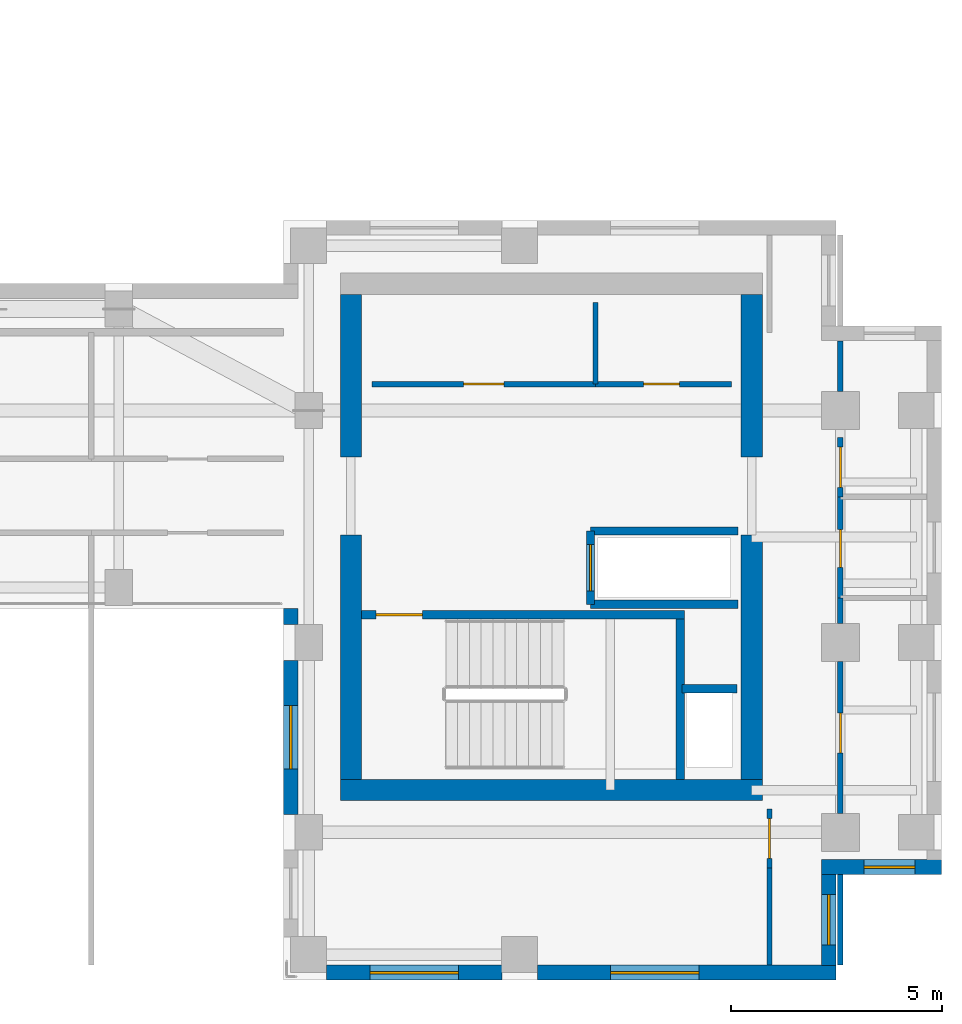
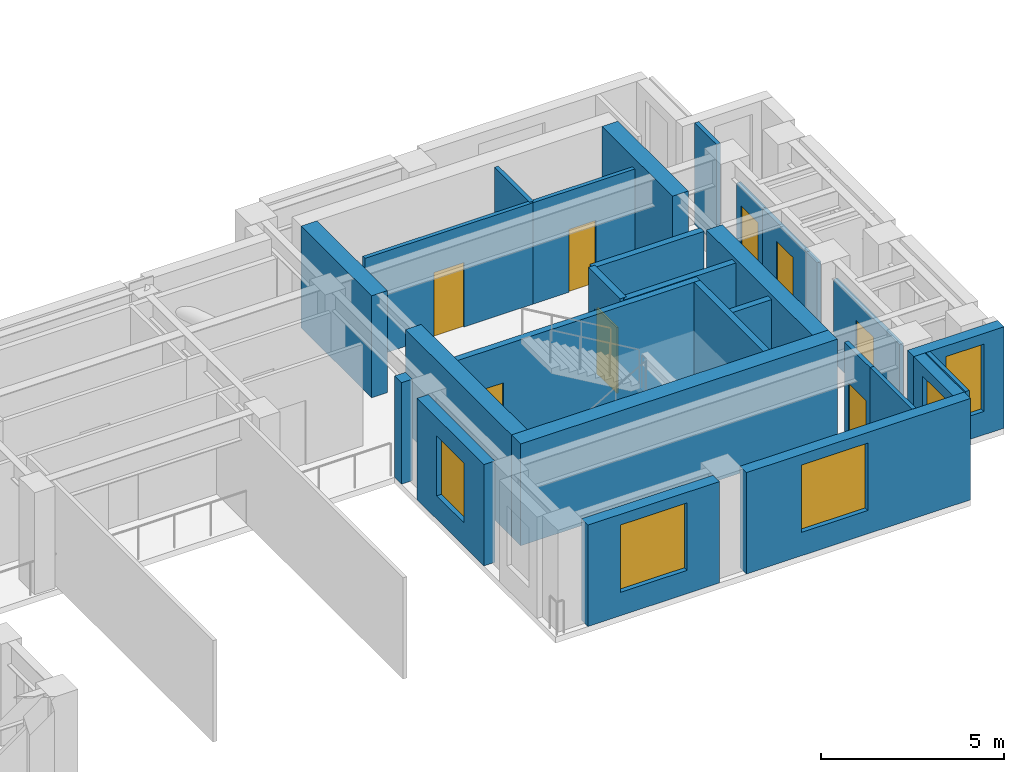
# One storey, part 9 of 14: 28 walls, 8 doors, 5 windows, 13 openings.
"""IFC4 building model written with IfcOpenShell, lengths in metres."""

from ifc_helpers import new_model, si_unit, direction, frame, frame_2d, origin, place, context, subcontext, project, spatial, rectangle, extrude, source, transform, mapped, material, layer, layer_set, type_object, element, fill, save


model = new_model("IFC4")

# Units and contexts
model_context = context("Model", 3, precision=1e-05, world=origin(), true_north=direction((0.0, 1.0)))
body_context = subcontext(model_context, "Body", "Model", "MODEL_VIEW")
ifc_project = project(units=[si_unit("LENGTHUNIT", "METRE"), si_unit("AREAUNIT", "SQUARE_METRE"), si_unit("VOLUMEUNIT", "CUBIC_METRE"), si_unit("PLANEANGLEUNIT", "RADIAN"), si_unit("MASSUNIT", "GRAM", prefix="KILO")], contexts=[model_context])

# Site, building, storey
site_placement = place(None, origin())
site = spatial("IfcSite", under=ifc_project, at=site_placement, CompositionType="ELEMENT")
building_placement = place(site_placement, origin())
building = spatial("IfcBuilding", under=site, at=building_placement, Name="Kharzan Plaza Tower", CompositionType="ELEMENT")
storey_placement = place(building_placement, frame((0.0, 0.0, 241.199951171875)))
storey = spatial("IfcBuildingStorey", under=building, at=storey_placement, Name="L65", CompositionType="ELEMENT", Elevation=241.199951171875)

# Wall, opening, window
ifc_material_1 = material(Name="Concrete C40/50", Category="concrete")
ifc_layer_1 = layer(ifc_material_1, 0.35009765625)
ifc_layer_set_1 = layer_set([ifc_layer_1], Name="Concrete C40/50")
wall_type_1 = type_object("IfcWallType", Name="WL-EXT-MAS-Z4", PredefinedType="SOLIDWALL", material=ifc_layer_set_1)
wall_1_placement = place(storey_placement, frame((34.574951171875, 7.576904296875, 0.0), z_axis=(0.0, 0.0, 1.0), x_axis=(0.0, -1.0, 0.0)))
wall_1 = element("IfcWall", 1, at=wall_1_placement, inside=storey, type_object=wall_type_1, Name="L65 Masonry-Frame Exterior Wall 34", PredefinedType="SOLIDWALL", context=body_context, shape_type="SweptSolid", body=[
    extrude(rectangle(XDim=3.65380859375, YDim=0.35009765625, at=frame_2d((1.826904296875, 0.0))), origin(), (0.0, 0.0, 1.0), 3.385009765625),
])
opening_1_placement = place(wall_1_placement, frame((1.076904296875, 0.0, 0.780029296875)))
opening_1 = element("IfcOpeningElement", 2, at=opening_1_placement, cuts=wall_1, Name="Opening W5", PredefinedType="OPENING", context=body_context, shape_type="SweptSolid", body=[
    extrude(rectangle(XDim=1.5, YDim=2.0, at=frame_2d((0.75, 1.0))), frame((0.0, 0.18505859375, 0.0), z_axis=(0.0, -1.0, 0.0), x_axis=(1.0, 0.0, 0.0)), (0.0, 0.0, 1.0), 0.3701171875),
])
ifc_material_2 = material(Name="Low-E Double Glazing", Category="glass")
window_type_1 = type_object("IfcWindowType", Name="WN-SLT-1500x2000", PartitioningType="SINGLE_PANEL", PredefinedType="WINDOW", material=ifc_material_2)
shared_shape_1 = source(origin(), body_context, "Body", "SweptSolid", [
    extrude(rectangle(XDim=1.5, YDim=2.0, at=frame_2d((0.75, 1.0))), frame((0.0, 0.030029296875, 0.0), z_axis=(0.0, -1.0, 0.0), x_axis=(1.0, 0.0, 0.0)), (0.0, 0.0, 1.0), 0.06005859375),
])
window_1_placement = place(opening_1_placement, origin())
window_1 = element("IfcWindow", 3, at=window_1_placement, inside=storey, type_object=window_type_1, Name="L65 Recessed Solar-Control Window 34-1", OverallHeight=2.0, OverallWidth=1.5, PartitioningType="SINGLE_PANEL", PredefinedType="WINDOW", context=body_context, shape_type="MappedRepresentation", body=[
    mapped(shared_shape_1, transform((0.0, 0.0, 0.0), x_axis=(1.0, 0.0, 0.0), y_axis=(0.0, 1.0, 0.0), z_axis=(0.0, 0.0, 1.0))),
])
fill(opening_1, window_1)

wall_2_placement = place(storey_placement, frame((35.423095703125, 0.175048828125, 0.0), z_axis=(0.0, 0.0, 1.0), x_axis=(1.0, 0.0, 0.0)))
wall_2 = element("IfcWall", 4, at=wall_2_placement, inside=storey, type_object=wall_type_1, Name="L65 Masonry-Frame Exterior Wall 36", PredefinedType="SOLIDWALL", context=body_context, shape_type="SweptSolid", body=[
    extrude(rectangle(XDim=4.15380859375, YDim=0.35009765625, at=frame_2d((2.076904296875, 0.0))), origin(), (0.0, 0.0, 1.0), 3.385009765625),
])
opening_2_placement = place(wall_2_placement, frame((1.027099609375, 0.0, 0.780029296875)))
opening_2 = element("IfcOpeningElement", 5, at=opening_2_placement, cuts=wall_2, Name="Opening W6", PredefinedType="OPENING", context=body_context, shape_type="SweptSolid", body=[
    extrude(rectangle(XDim=2.10009765625, YDim=2.25, at=frame_2d((1.050048828125, 1.125))), frame((0.0, 0.18505859375, 0.0), z_axis=(0.0, -1.0, 0.0), x_axis=(1.0, 0.0, 0.0)), (0.0, 0.0, 1.0), 0.3701171875),
])
window_type_2 = type_object("IfcWindowType", Name="WN-EXEC-2100x2250", PartitioningType="SINGLE_PANEL", PredefinedType="WINDOW", material=ifc_material_2)
shared_shape_2 = source(origin(), body_context, "Body", "SweptSolid", [
    extrude(rectangle(XDim=2.10009765625, YDim=2.25, at=frame_2d((1.050048828125, 1.125))), frame((0.0, 0.030029296875, 0.0), z_axis=(0.0, -1.0, 0.0), x_axis=(1.0, 0.0, 0.0)), (0.0, 0.0, 1.0), 0.06005859375),
])
window_2_placement = place(opening_2_placement, origin())
window_2 = element("IfcWindow", 6, at=window_2_placement, inside=storey, type_object=window_type_2, Name="L65 Recessed Solar-Control Window 36-1", OverallHeight=2.25, OverallWidth=2.10009765625, PartitioningType="SINGLE_PANEL", PredefinedType="WINDOW", context=body_context, shape_type="MappedRepresentation", body=[
    mapped(shared_shape_2, transform((0.0, 0.0, 0.0), x_axis=(1.0, 0.0, 0.0), y_axis=(0.0, 1.0, 0.0), z_axis=(0.0, 0.0, 1.0))),
])
fill(opening_2, window_2)

wall_3_placement = place(storey_placement, frame((40.423095703125, 0.175048828125, 0.0), z_axis=(0.0, 0.0, 1.0), x_axis=(1.0, 0.0, 0.0)))
wall_3 = element("IfcWall", 7, at=wall_3_placement, inside=storey, type_object=wall_type_1, Name="L65 Masonry-Frame Exterior Wall 37", PredefinedType="SOLIDWALL", context=body_context, shape_type="SweptSolid", body=[
    extrude(rectangle(XDim=7.076904296875, YDim=0.35009765625, at=frame_2d((3.53857421875, 0.0))), origin(), (0.0, 0.0, 1.0), 3.385009765625),
])
opening_3_placement = place(wall_3_placement, frame((1.7333984375, 0.0, 0.780029296875)))
opening_3 = element("IfcOpeningElement", 8, at=opening_3_placement, cuts=wall_3, Name="Opening W6", PredefinedType="OPENING", context=body_context, shape_type="SweptSolid", body=[
    extrude(rectangle(XDim=2.10009765625, YDim=2.25, at=frame_2d((1.050048828125, 1.125))), frame((0.0, 0.18505859375, 0.0), z_axis=(0.0, -1.0, 0.0), x_axis=(1.0, 0.0, 0.0)), (0.0, 0.0, 1.0), 0.3701171875),
])
window_3_placement = place(opening_3_placement, origin())
window_3 = element("IfcWindow", 9, at=window_3_placement, inside=storey, type_object=window_type_2, Name="L65 Recessed Solar-Control Window 37-1", OverallHeight=2.25, OverallWidth=2.10009765625, PartitioningType="SINGLE_PANEL", PredefinedType="WINDOW", context=body_context, shape_type="MappedRepresentation", body=[
    mapped(shared_shape_2, transform((0.0, 0.0, 0.0), x_axis=(1.0, 0.0, 0.0), y_axis=(0.0, 1.0, 0.0), z_axis=(0.0, 0.0, 1.0))),
])
fill(opening_3, window_3)

wall_4_placement = place(storey_placement, frame((47.324951171875, 0.347900390625, 0.0), z_axis=(0.0, 0.0, 1.0), x_axis=(0.0, 1.0, 0.0)))
wall_4 = element("IfcWall", 10, at=wall_4_placement, inside=storey, type_object=wall_type_1, Name="L65 Masonry-Frame Exterior Wall 38", PredefinedType="SOLIDWALL", context=body_context, shape_type="SweptSolid", body=[
    extrude(rectangle(XDim=2.154052734375, YDim=0.35009765625, at=frame_2d((1.0771484375, 0.0))), origin(), (0.0, 0.0, 1.0), 3.385009765625),
])
opening_4_placement = place(wall_4_placement, frame((0.47705078125, 0.0, 0.780029296875)))
opening_4 = element("IfcOpeningElement", 11, at=opening_4_placement, cuts=wall_4, Name="Opening W3", PredefinedType="OPENING", context=body_context, shape_type="SweptSolid", body=[
    extrude(rectangle(XDim=1.199951171875, YDim=2.25, at=frame_2d((0.60009765625, 1.125))), frame((0.0, 0.18505859375, 0.0), z_axis=(0.0, -1.0, 0.0), x_axis=(1.0, 0.0, 0.0)), (0.0, 0.0, 1.0), 0.3701171875),
])
window_type_3 = type_object("IfcWindowType", Name="WN-REC-1200x2100", PartitioningType="SINGLE_PANEL", PredefinedType="WINDOW", material=ifc_material_2)
shared_shape_3 = source(origin(), body_context, "Body", "SweptSolid", [
    extrude(rectangle(XDim=1.199951171875, YDim=2.25, at=frame_2d((0.60009765625, 1.125))), frame((0.0, 0.030029296875, 0.0), z_axis=(0.0, -1.0, 0.0), x_axis=(1.0, 0.0, 0.0)), (0.0, 0.0, 1.0), 0.06005859375),
])
window_4_placement = place(opening_4_placement, origin())
window_4 = element("IfcWindow", 12, at=window_4_placement, inside=storey, type_object=window_type_3, Name="L65 Recessed Solar-Control Window 38-1", OverallHeight=2.25, OverallWidth=1.199951171875, PartitioningType="SINGLE_PANEL", PredefinedType="WINDOW", context=body_context, shape_type="MappedRepresentation", body=[
    mapped(shared_shape_3, transform((0.0, 0.0, 0.0), x_axis=(1.0, 0.0, 0.0), y_axis=(0.0, 1.0, 0.0), z_axis=(0.0, 0.0, 1.0))),
])
fill(opening_4, window_4)

wall_5_placement = place(storey_placement, frame((47.14990234375, 2.675048828125, 0.0), z_axis=(0.0, 0.0, 1.0), x_axis=(1.0, 0.0, 0.0)))
wall_5 = element("IfcWall", 13, at=wall_5_placement, inside=storey, type_object=wall_type_1, Name="L65 Masonry-Frame Exterior Wall 39", PredefinedType="SOLIDWALL", context=body_context, shape_type="SweptSolid", body=[
    extrude(rectangle(XDim=2.85009765625, YDim=0.35009765625, at=frame_2d((1.425048828125, 0.0))), origin(), (0.0, 0.0, 1.0), 3.385009765625),
])
opening_5_placement = place(wall_5_placement, frame((1.014892578125, 0.0, 0.780029296875)))
opening_5 = element("IfcOpeningElement", 14, at=opening_5_placement, cuts=wall_5, Name="Opening W3", PredefinedType="OPENING", context=body_context, shape_type="SweptSolid", body=[
    extrude(rectangle(XDim=1.199951171875, YDim=2.25, at=frame_2d((0.60009765625, 1.125))), frame((0.0, 0.18505859375, 0.0), z_axis=(0.0, -1.0, 0.0), x_axis=(1.0, 0.0, 0.0)), (0.0, 0.0, 1.0), 0.3701171875),
])
window_5_placement = place(opening_5_placement, origin())
window_5 = element("IfcWindow", 15, at=window_5_placement, inside=storey, type_object=window_type_3, Name="L65 Recessed Solar-Control Window 39-1", OverallHeight=2.25, OverallWidth=1.199951171875, PartitioningType="SINGLE_PANEL", PredefinedType="WINDOW", context=body_context, shape_type="MappedRepresentation", body=[
    mapped(shared_shape_3, transform((0.0, 0.0, 0.0), x_axis=(1.0, 0.0, 0.0), y_axis=(0.0, 1.0, 0.0), z_axis=(0.0, 0.0, 1.0))),
])
fill(opening_5, window_5)

# Wall, opening, door
ifc_material_3 = material(Name="Fire-Rated Gypsum Board Partition", Category="gypsum")
ifc_layer_2 = layer(ifc_material_3, 0.125)
ifc_layer_set_2 = layer_set([ifc_layer_2], Name="Fire-Rated Gypsum Board Partition")
wall_type_2 = type_object("IfcWallType", Name="WL-INT-PART-125", PredefinedType="PARTITIONING", material=ifc_layer_set_2)
wall_6_placement = place(storey_placement, frame((36.5, 14.1201171875, 0.0), z_axis=(0.0, 0.0, 1.0), x_axis=(1.0, 0.0, 0.0)))
wall_6 = element("IfcWall", 16, at=wall_6_placement, inside=storey, type_object=wall_type_2, Name="L65 Interior Partition CB-RBLSA", PredefinedType="PARTITIONING", context=body_context, shape_type="SweptSolid", body=[
    extrude(rectangle(XDim=5.300048828125, YDim=0.125, at=frame_2d((2.64990234375, 0.0))), origin(), (0.0, 0.0, 1.0), 3.385009765625),
])
opening_6_placement = place(wall_6_placement, frame((2.175048828125, 0.0, 0.0)))
opening_6 = element("IfcOpeningElement", 17, at=opening_6_placement, cuts=wall_6, Name="Opening OD1", PredefinedType="OPENING", context=body_context, shape_type="SweptSolid", body=[
    extrude(rectangle(XDim=0.949951171875, YDim=2.14990234375, at=frame_2d((0.47509765625, 1.074951171875))), frame((0.0, 0.072509765625, 0.0), z_axis=(0.0, -1.0, 0.0), x_axis=(1.0, 0.0, 0.0)), (0.0, 0.0, 1.0), 0.14501953125),
])
ifc_material_4 = material(Name="Acoustic Solid-Core Stained Oak", Category="timber")
door_type_1 = type_object("IfcDoorType", Name="DR-OFF-SINGLE", OperationType="NOTDEFINED", PredefinedType="DOOR", material=ifc_material_4)
shared_shape_4 = source(origin(), body_context, "Body", "SweptSolid", [
    extrude(rectangle(XDim=0.949951171875, YDim=2.14990234375, at=frame_2d((0.47509765625, 1.074951171875))), frame((0.0, 0.02490234375, 0.0), z_axis=(0.0, -1.0, 0.0), x_axis=(1.0, 0.0, 0.0)), (0.0, 0.0, 1.0), 0.050048828125),
])
door_1_placement = place(opening_6_placement, origin())
door_1 = element("IfcDoor", 18, at=door_1_placement, inside=storey, type_object=door_type_1, Name="L65 Records Room Door", OperationType="SINGLE_SWING_LEFT", OverallHeight=2.14990234375, OverallWidth=0.949951171875, PredefinedType="DOOR", context=body_context, shape_type="MappedRepresentation", body=[
    mapped(shared_shape_4, transform((0.0, 0.0, 0.0), x_axis=(1.0, 0.0, 0.0), y_axis=(0.0, 1.0, 0.0), z_axis=(0.0, 0.0, 1.0))),
])
fill(opening_6, door_1)

wall_7_placement = place(storey_placement, frame((41.800048828125, 14.1201171875, 0.0), z_axis=(0.0, 0.0, 1.0), x_axis=(1.0, 0.0, 0.0)))
wall_7 = element("IfcWall", 19, at=wall_7_placement, inside=storey, type_object=wall_type_2, Name="L65 Interior Partition CB-RBLSB", PredefinedType="PARTITIONING", context=body_context, shape_type="SweptSolid", body=[
    extrude(rectangle(XDim=3.219970703125, YDim=0.125, at=frame_2d((1.60986328125, 0.0))), origin(), (0.0, 0.0, 1.0), 3.385009765625),
])
opening_7_placement = place(wall_7_placement, frame((1.135009765625, 0.0, 0.0)))
opening_7 = element("IfcOpeningElement", 20, at=opening_7_placement, cuts=wall_7, Name="Opening RD1", PredefinedType="OPENING", context=body_context, shape_type="SweptSolid", body=[
    extrude(rectangle(XDim=0.85009765625, YDim=2.10009765625, at=frame_2d((0.425048828125, 1.050048828125))), frame((0.0, 0.072509765625, 0.0), z_axis=(0.0, -1.0, 0.0), x_axis=(1.0, 0.0, 0.0)), (0.0, 0.0, 1.0), 0.14501953125),
])
ifc_material_5 = material(Name="Powder-Coated Fire-Rated Steel", Category="steel")
door_type_2 = type_object("IfcDoorType", Name="DR-RISER-900", OperationType="NOTDEFINED", PredefinedType="DOOR", material=ifc_material_5)
shared_shape_5 = source(origin(), body_context, "Body", "SweptSolid", [
    extrude(rectangle(XDim=0.85009765625, YDim=2.10009765625, at=frame_2d((0.425048828125, 1.050048828125))), frame((0.0, 0.02490234375, 0.0), z_axis=(0.0, -1.0, 0.0), x_axis=(1.0, 0.0, 0.0)), (0.0, 0.0, 1.0), 0.050048828125),
])
door_2_placement = place(opening_7_placement, origin())
door_2 = element("IfcDoor", 21, at=door_2_placement, inside=storey, type_object=door_type_2, Name="L65 Housekeeping Store Door", OperationType="SINGLE_SWING_RIGHT", OverallHeight=2.10009765625, OverallWidth=0.85009765625, PredefinedType="DOOR", context=body_context, shape_type="MappedRepresentation", body=[
    mapped(shared_shape_5, transform((0.0, 0.0, 0.0), x_axis=(1.0, 0.0, 0.0), y_axis=(0.0, 1.0, 0.0), z_axis=(0.0, 0.0, 1.0))),
])
fill(opening_7, door_2)

wall_8_placement = place(storey_placement, frame((47.60009765625, 3.949951171875, 0.0), z_axis=(0.0, 0.0, 1.0), x_axis=(0.0, 1.0, 0.0)))
wall_8 = element("IfcWall", 22, at=wall_8_placement, inside=storey, type_object=wall_type_2, Name="L65 Interior Partition SH-B1W0-S1", PredefinedType="PARTITIONING", context=body_context, shape_type="SweptSolid", body=[
    extrude(rectangle(XDim=3.60009765625, YDim=0.125, at=frame_2d((1.800048828125, 0.0))), origin(), (0.0, 0.0, 1.0), 2.77294921875),
])
opening_8_placement = place(wall_8_placement, frame((1.425048828125, 0.0, 0.0)))
opening_8 = element("IfcOpeningElement", 23, at=opening_8_placement, cuts=wall_8, Name="Opening OD1", PredefinedType="OPENING", context=body_context, shape_type="SweptSolid", body=[
    extrude(rectangle(XDim=0.949951171875, YDim=2.14990234375, at=frame_2d((0.47509765625, 1.074951171875))), frame((0.0, 0.072509765625, 0.0), z_axis=(0.0, -1.0, 0.0), x_axis=(1.0, 0.0, 0.0)), (0.0, 0.0, 1.0), 0.14501953125),
])
door_3_placement = place(opening_8_placement, origin())
door_3 = element("IfcDoor", 24, at=door_3_placement, inside=storey, type_object=door_type_1, Name="L65 Wing B South Studio Door", OperationType="SINGLE_SWING_LEFT", OverallHeight=2.14990234375, OverallWidth=0.949951171875, PredefinedType="DOOR", context=body_context, shape_type="MappedRepresentation", body=[
    mapped(shared_shape_4, transform((0.0, 0.0, 0.0), x_axis=(1.0, 0.0, 0.0), y_axis=(0.0, 1.0, 0.0), z_axis=(0.0, 0.0, 1.0))),
])
fill(opening_8, door_3)

wall_9_placement = place(storey_placement, frame((47.60009765625, 11.449951171875, 0.0), z_axis=(0.0, 0.0, 1.0), x_axis=(0.0, 1.0, 0.0)))
wall_9 = element("IfcWall", 25, at=wall_9_placement, inside=storey, type_object=wall_type_2, Name="L65 Interior Partition SH-B1W1", PredefinedType="PARTITIONING", context=body_context, shape_type="SweptSolid", body=[
    extrude(rectangle(XDim=1.400146484375, YDim=0.125, at=frame_2d((0.7001953125, 0.0))), origin(), (0.0, 0.0, 1.0), 2.77294921875),
])
opening_9_placement = place(wall_9_placement, frame((0.22509765625, 0.0, 0.0)))
opening_9 = element("IfcOpeningElement", 26, at=opening_9_placement, cuts=wall_9, Name="Opening OD1", PredefinedType="OPENING", context=body_context, shape_type="SweptSolid", body=[
    extrude(rectangle(XDim=0.949951171875, YDim=2.14990234375, at=frame_2d((0.47509765625, 1.074951171875))), frame((0.0, 0.072509765625, 0.0), z_axis=(0.0, -1.0, 0.0), x_axis=(1.0, 0.0, 0.0)), (0.0, 0.0, 1.0), 0.14501953125),
])
door_4_placement = place(opening_9_placement, origin())
door_4 = element("IfcDoor", 27, at=door_4_placement, inside=storey, type_object=door_type_1, Name="L65 Wing B North Office Door", OperationType="SINGLE_SWING_LEFT", OverallHeight=2.14990234375, OverallWidth=0.949951171875, PredefinedType="DOOR", context=body_context, shape_type="MappedRepresentation", body=[
    mapped(shared_shape_4, transform((0.0, 0.0, 0.0), x_axis=(1.0, 0.0, 0.0), y_axis=(0.0, 1.0, 0.0), z_axis=(0.0, 0.0, 1.0))),
])
fill(opening_9, door_4)

wall_10_placement = place(storey_placement, frame((47.60009765625, 9.050048828125, 0.0), z_axis=(0.0, 0.0, 1.0), x_axis=(0.0, 1.0, 0.0)))
wall_10 = element("IfcWall", 28, at=wall_10_placement, inside=storey, type_object=wall_type_2, Name="L65 Interior Partition SH-B1WC", PredefinedType="PARTITIONING", context=body_context, shape_type="SweptSolid", body=[
    extrude(rectangle(XDim=2.39990234375, YDim=0.125, at=frame_2d((1.199951171875, 0.0))), origin(), (0.0, 0.0, 1.0), 2.77294921875),
])
opening_10_placement = place(wall_10_placement, frame((0.72509765625, 0.0, 0.0)))
opening_10 = element("IfcOpeningElement", 29, at=opening_10_placement, cuts=wall_10, Name="Opening WD1", PredefinedType="OPENING", context=body_context, shape_type="SweptSolid", body=[
    extrude(rectangle(XDim=0.89990234375, YDim=2.14990234375, at=frame_2d((0.449951171875, 1.074951171875))), frame((0.0, 0.072509765625, 0.0), z_axis=(0.0, -1.0, 0.0), x_axis=(1.0, 0.0, 0.0)), (0.0, 0.0, 1.0), 0.14501953125),
])
ifc_material_6 = material(Name="Moisture-Resistant Fire-Rated Laminate", Category="timber")
door_type_3 = type_object("IfcDoorType", Name="DR-WC-900", OperationType="NOTDEFINED", PredefinedType="DOOR", material=ifc_material_6)
shared_shape_6 = source(origin(), body_context, "Body", "SweptSolid", [
    extrude(rectangle(XDim=0.89990234375, YDim=2.14990234375, at=frame_2d((0.449951171875, 1.074951171875))), frame((0.0, 0.02490234375, 0.0), z_axis=(0.0, -1.0, 0.0), x_axis=(1.0, 0.0, 0.0)), (0.0, 0.0, 1.0), 0.050048828125),
])
door_5_placement = place(opening_10_placement, origin())
door_5 = element("IfcDoor", 30, at=door_5_placement, inside=storey, type_object=door_type_3, Name="L65 Wing B Washroom Door", OperationType="SINGLE_SWING_RIGHT", OverallHeight=2.14990234375, OverallWidth=0.89990234375, PredefinedType="DOOR", context=body_context, shape_type="MappedRepresentation", body=[
    mapped(shared_shape_6, transform((0.0, 0.0, 0.0), x_axis=(1.0, 0.0, 0.0), y_axis=(0.0, 1.0, 0.0), z_axis=(0.0, 0.0, 1.0))),
])
fill(opening_10, door_5)

wall_11_placement = place(storey_placement, frame((45.919921875, 2.64990234375, 0.0), z_axis=(0.0, 0.0, 1.0), x_axis=(0.0, 1.0, 0.0)))
wall_11 = element("IfcWall", 31, at=wall_11_placement, inside=storey, type_object=wall_type_2, Name="L65 Interior Partition SH-RBSE", PredefinedType="PARTITIONING", context=body_context, shape_type="SweptSolid", body=[
    extrude(rectangle(XDim=1.400146484375, YDim=0.125, at=frame_2d((0.7001953125, 0.0))), origin(), (0.0, 0.0, 1.0), 3.385009765625),
])
opening_11_placement = place(wall_11_placement, frame((0.22509765625, 0.0, 0.0)))
opening_11 = element("IfcOpeningElement", 32, at=opening_11_placement, cuts=wall_11, Name="Opening OD1", PredefinedType="OPENING", context=body_context, shape_type="SweptSolid", body=[
    extrude(rectangle(XDim=0.949951171875, YDim=2.14990234375, at=frame_2d((0.47509765625, 1.074951171875))), frame((0.0, 0.072509765625, 0.0), z_axis=(0.0, -1.0, 0.0), x_axis=(1.0, 0.0, 0.0)), (0.0, 0.0, 1.0), 0.14501953125),
])
door_6_placement = place(opening_11_placement, origin())
door_6 = element("IfcDoor", 33, at=door_6_placement, inside=storey, type_object=door_type_1, Name="L65 South-East Corner Office Door", OperationType="SINGLE_SWING_RIGHT", OverallHeight=2.14990234375, OverallWidth=0.949951171875, PredefinedType="DOOR", context=body_context, shape_type="MappedRepresentation", body=[
    mapped(shared_shape_4, transform((0.0, 0.0, 0.0), x_axis=(1.0, 0.0, 0.0), y_axis=(0.0, 1.0, 0.0), z_axis=(0.0, 0.0, 1.0))),
])
fill(opening_11, door_6)

ifc_layer_3 = layer(ifc_material_1, 0.199951171875)
ifc_layer_set_3 = layer_set([ifc_layer_3], Name="Concrete C40/50")
wall_type_3 = type_object("IfcWallType", Name="WL-INT-SHAFT-200", PredefinedType="PARTITIONING", material=ifc_layer_set_3)
wall_12_placement = place(storey_placement, frame((41.679931640625, 8.89990234375, 0.0), z_axis=(0.0, 0.0, 1.0), x_axis=(0.0, 1.0, 0.0)))
wall_12 = element("IfcWall", 34, at=wall_12_placement, inside=storey, type_object=wall_type_3, Name="L65 Interior Partition SHF-SVL-2-W", PredefinedType="PARTITIONING", context=body_context, shape_type="SweptSolid", body=[
    extrude(rectangle(XDim=1.739990234375, YDim=0.199951171875, at=frame_2d((0.8701171875, 0.0))), origin(), (0.0, 0.0, 1.0), 3.385009765625),
])
opening_12_placement = place(wall_12_placement, frame((0.320068359375, 0.0, 0.0)))
opening_12 = element("IfcOpeningElement", 35, at=opening_12_placement, cuts=wall_12, Name="Opening LD", PredefinedType="OPENING", context=body_context, shape_type="SweptSolid", body=[
    extrude(rectangle(XDim=1.10009765625, YDim=2.199951171875, at=frame_2d((0.550048828125, 1.10009765625))), frame((0.0, 0.10986328125, 0.0), z_axis=(0.0, -1.0, 0.0), x_axis=(1.0, 0.0, 0.0)), (0.0, 0.0, 1.0), 0.219970703125),
])
ifc_material_7 = material(Name="Brushed Stainless Steel", Category="steel")
door_type_4 = type_object("IfcDoorType", Name="DR-LIFT-SLIDE", OperationType="SLIDING_TO_LEFT", PredefinedType="DOOR", material=ifc_material_7)
shared_shape_7 = source(origin(), body_context, "Body", "SweptSolid", [
    extrude(rectangle(XDim=1.10009765625, YDim=2.199951171875, at=frame_2d((0.550048828125, 1.10009765625))), frame((0.0, 0.02490234375, 0.0), z_axis=(0.0, -1.0, 0.0), x_axis=(1.0, 0.0, 0.0)), (0.0, 0.0, 1.0), 0.050048828125),
])
door_7_placement = place(opening_12_placement, origin())
door_7 = element("IfcDoor", 36, at=door_7_placement, inside=storey, type_object=door_type_4, Name="L65 Service Lift SVL-2 Sliding Landing Door", OperationType="SLIDING_TO_LEFT", OverallHeight=2.199951171875, OverallWidth=1.10009765625, PredefinedType="DOOR", context=body_context, shape_type="MappedRepresentation", body=[
    mapped(shared_shape_7, transform((0.0, 0.0, 0.0), x_axis=(1.0, 0.0, 0.0), y_axis=(0.0, 1.0, 0.0), z_axis=(0.0, 0.0, 1.0))),
])
fill(opening_12, door_7)

ifc_material_8 = material(Name="Concrete C50/60", Category="concrete")
ifc_layer_4 = layer(ifc_material_8, 0.199951171875)
ifc_layer_set_4 = layer_set([ifc_layer_4], Name="Concrete C50/60")
wall_type_4 = type_object("IfcWallType", Name="WL-SHAFT-RC200", PredefinedType="SHEAR", material=ifc_layer_set_4)
wall_13_placement = place(storey_placement, frame((36.251953125, 8.655029296875, 0.0), z_axis=(0.0, 0.0, 1.0), x_axis=(1.0, 0.0, 0.0)))
wall_13 = element("IfcWall", 37, at=wall_13_placement, inside=storey, type_object=wall_type_4, Name="L65 Stair ST-3 North RC Shaft Wall", PredefinedType="SHEAR", context=body_context, shape_type="SweptSolid", body=[
    extrude(rectangle(XDim=7.653076171875, YDim=0.199951171875, at=frame_2d((3.82666015625, 0.0))), origin(), (0.0, 0.0, 1.0), 3.400146484375),
])
opening_13_placement = place(wall_13_placement, frame((0.35009765625, 0.0, 0.0)))
opening_13 = element("IfcOpeningElement", 38, at=opening_13_placement, cuts=wall_13, Name="Opening SD1", PredefinedType="OPENING", context=body_context, shape_type="SweptSolid", body=[
    extrude(rectangle(XDim=1.10009765625, YDim=2.14990234375, at=frame_2d((0.550048828125, 1.074951171875))), frame((0.0, 0.10986328125, 0.0), z_axis=(0.0, -1.0, 0.0), x_axis=(1.0, 0.0, 0.0)), (0.0, 0.0, 1.0), 0.219970703125),
])
ifc_material_9 = material(Name="Fire-Rated Hollow Galvanized Steel", Category="steel")
door_type_5 = type_object("IfcDoorType", Name="DR-STAIR-FD120", OperationType="NOTDEFINED", PredefinedType="DOOR", material=ifc_material_9)
shared_shape_8 = source(origin(), body_context, "Body", "SweptSolid", [
    extrude(rectangle(XDim=1.10009765625, YDim=2.14990234375, at=frame_2d((0.550048828125, 1.074951171875))), frame((0.0, 0.02490234375, 0.0), z_axis=(0.0, -1.0, 0.0), x_axis=(1.0, 0.0, 0.0)), (0.0, 0.0, 1.0), 0.050048828125),
])
door_8_placement = place(opening_13_placement, origin())
door_8 = element("IfcDoor", 39, at=door_8_placement, inside=storey, type_object=door_type_5, Name="L65 Stair ST-3 Fire Exit Door", OperationType="SINGLE_SWING_RIGHT", OverallHeight=2.14990234375, OverallWidth=1.10009765625, PredefinedType="DOOR", context=body_context, shape_type="MappedRepresentation", body=[
    mapped(shared_shape_8, transform((0.0, 0.0, 0.0), x_axis=(1.0, 0.0, 0.0), y_axis=(0.0, 1.0, 0.0), z_axis=(0.0, 0.0, 1.0))),
])
fill(opening_13, door_8)

# Walls
shared_shape_9 = source(origin(), body_context, "Body", "SweptSolid", [
    extrude(rectangle(XDim=1.929931640625, YDim=0.125, at=frame_2d((0.96484375, 0.0))), origin(), (0.0, 0.0, 1.0), 3.385009765625),
])
wall_14_placement = place(storey_placement, frame((41.800048828125, 14.1201171875, 0.0), z_axis=(0.0, 0.0, 1.0), x_axis=(0.0, 1.0, 0.0)))
element("IfcWall", 40, at=wall_14_placement, inside=storey, type_object=wall_type_2, Name="L65 Interior Partition CB-RBLM2", PredefinedType="PARTITIONING", context=body_context, shape_type="MappedRepresentation", body=[
    mapped(shared_shape_9, transform((0.0, 0.0, 0.0), x_axis=(1.0, 0.0, 0.0), y_axis=(0.0, 1.0, 0.0), z_axis=(0.0, 0.0, 1.0))),
])
shared_shape_10 = source(origin(), body_context, "Body", "SweptSolid", [
    extrude(rectangle(XDim=2.2978515625, YDim=0.125, at=frame_2d((1.14892578125, 0.0))), origin(), (0.0, 0.0, 1.0), 3.385009765625),
])
wall_15_placement = place(storey_placement, frame((45.919921875, 0.35205078125, 0.0), z_axis=(0.0, 0.0, 1.0), x_axis=(0.0, 1.0, 0.0)))
element("IfcWall", 41, at=wall_15_placement, inside=storey, type_object=wall_type_2, Name="L65 Interior Partition SH-RBSE0", PredefinedType="PARTITIONING", context=body_context, shape_type="MappedRepresentation", body=[
    mapped(shared_shape_10, transform((0.0, 0.0, 0.0), x_axis=(1.0, 0.0, 0.0), y_axis=(0.0, 1.0, 0.0), z_axis=(0.0, 0.0, 1.0))),
])
shared_shape_11 = source(origin(), body_context, "Body", "SweptSolid", [
    extrude(rectangle(XDim=1.2998046875, YDim=0.199951171875, at=frame_2d((0.64990234375, 0.0))), origin(), (0.0, 0.0, 1.0), 3.385009765625),
])
wall_16_placement = place(storey_placement, frame((43.85009765625, 6.89990234375, 0.0), z_axis=(0.0, 0.0, 1.0), x_axis=(1.0, 0.0, 0.0)))
element("IfcWall", 42, at=wall_16_placement, inside=storey, type_object=wall_type_3, Name="L65 Interior Partition CB-RSRB-N", PredefinedType="PARTITIONING", context=body_context, shape_type="MappedRepresentation", body=[
    mapped(shared_shape_11, transform((0.0, 0.0, 0.0), x_axis=(1.0, 0.0, 0.0), y_axis=(0.0, 1.0, 0.0), z_axis=(0.0, 0.0, 1.0))),
])
shared_shape_12 = source(origin(), body_context, "Body", "SweptSolid", [
    extrude(rectangle(XDim=3.489990234375, YDim=0.199951171875, at=frame_2d((1.7451171875, 0.0))), origin(), (0.0, 0.0, 1.0), 3.385009765625),
])
for number, where, z_axis, x_axis, name in (
    (43, (41.679931640625, 10.639892578125, 0.0), (0.0, 0.0, 1.0), (1.0, 0.0, 0.0), "L65 Interior Partition SHF-SVL-2-N"),
    (44, (41.679931640625, 8.89990234375, 0.0), (0.0, 0.0, 1.0), (1.0, 0.0, 0.0), "L65 Interior Partition SHF-SVL-2-S"),
):
    element("IfcWall", number, at=place(storey_placement, frame(where, z_axis=z_axis, x_axis=x_axis)), inside=storey, type_object=wall_type_3, Name=name, PredefinedType="PARTITIONING", context=body_context, shape_type="MappedRepresentation", body=[
        mapped(shared_shape_12, transform((0.0, 0.0, 0.0), x_axis=(1.0, 0.0, 0.0), y_axis=(0.0, 1.0, 0.0), z_axis=(0.0, 0.0, 1.0))),
    ])
ifc_layer_5 = layer(ifc_material_8, 0.5)
ifc_layer_set_5 = layer_set([ifc_layer_5], Name="Concrete C50/60")
wall_type_5 = type_object("IfcWallType", Name="WL-CORE-500", PredefinedType="SHEAR", material=ifc_layer_set_5)
shared_shape_13 = source(origin(), body_context, "Body", "SweptSolid", [
    extrude(rectangle(XDim=5.800048828125, YDim=0.5, at=frame_2d((2.89990234375, 0.0))), origin(), (0.0, 0.0, 1.0), 3.400146484375),
])
for number, where, z_axis, x_axis, name in (
    (45, (45.5, 4.75, 0.0), (0.0, 0.0, 1.0), (0.0, 1.0, 0.0), "L65 CORE-B east shear pier 1"),
    (46, (36.0, 4.75, 0.0), (0.0, 0.0, 1.0), (0.0, 1.0, 0.0), "L65 CORE-B west shear pier 1"),
):
    element("IfcWall", number, at=place(storey_placement, frame(where, z_axis=z_axis, x_axis=x_axis)), inside=storey, type_object=wall_type_5, Name=name, PredefinedType="SHEAR", context=body_context, shape_type="MappedRepresentation", body=[
        mapped(shared_shape_13, transform((0.0, 0.0, 0.0), x_axis=(1.0, 0.0, 0.0), y_axis=(0.0, 1.0, 0.0), z_axis=(0.0, 0.0, 1.0))),
    ])
shared_shape_14 = source(origin(), body_context, "Body", "SweptSolid", [
    extrude(rectangle(XDim=3.85009765625, YDim=0.5, at=frame_2d((1.925048828125, 0.0))), origin(), (0.0, 0.0, 1.0), 3.400146484375),
])
for number, where, z_axis, x_axis, name in (
    (47, (45.5, 12.39990234375, 0.0), (0.0, 0.0, 1.0), (0.0, 1.0, 0.0), "L65 CORE-B east shear pier 2"),
    (48, (36.0, 12.39990234375, 0.0), (0.0, 0.0, 1.0), (0.0, 1.0, 0.0), "L65 CORE-B west shear pier 2"),
):
    element("IfcWall", number, at=place(storey_placement, frame(where, z_axis=z_axis, x_axis=x_axis)), inside=storey, type_object=wall_type_5, Name=name, PredefinedType="SHEAR", context=body_context, shape_type="MappedRepresentation", body=[
        mapped(shared_shape_14, transform((0.0, 0.0, 0.0), x_axis=(1.0, 0.0, 0.0), y_axis=(0.0, 1.0, 0.0), z_axis=(0.0, 0.0, 1.0))),
    ])
shared_shape_15 = source(origin(), body_context, "Body", "SweptSolid", [
    extrude(rectangle(XDim=10.0, YDim=0.5, at=frame_2d((5.0, 0.0))), origin(), (0.0, 0.0, 1.0), 3.400146484375),
])
wall_17_placement = place(storey_placement, frame((35.75, 4.5, 0.0), z_axis=(0.0, 0.0, 1.0), x_axis=(1.0, 0.0, 0.0)))
element("IfcWall", 49, at=wall_17_placement, inside=storey, type_object=wall_type_5, Name="L65 CORE-B south RC shear wall", PredefinedType="SHEAR", context=body_context, shape_type="MappedRepresentation", body=[
    mapped(shared_shape_15, transform((0.0, 0.0, 0.0), x_axis=(1.0, 0.0, 0.0), y_axis=(0.0, 1.0, 0.0), z_axis=(0.0, 0.0, 1.0))),
])
shared_shape_16 = source(origin(), body_context, "Body", "SweptSolid", [
    extrude(rectangle(XDim=2.14794921875, YDim=0.125, at=frame_2d((1.073974609375, 0.0))), origin(), (0.0, 0.0, 1.0), 3.385009765625),
])
wall_18_placement = place(storey_placement, frame((47.60009765625, 0.35009765625, 0.0), z_axis=(0.0, 0.0, 1.0), x_axis=(0.0, 1.0, 0.0)))
element("IfcWall", 50, at=wall_18_placement, inside=storey, type_object=wall_type_2, Name="L65 Interior Partition SH-B1W0S", PredefinedType="PARTITIONING", context=body_context, shape_type="MappedRepresentation", body=[
    mapped(shared_shape_16, transform((0.0, 0.0, 0.0), x_axis=(1.0, 0.0, 0.0), y_axis=(0.0, 1.0, 0.0), z_axis=(0.0, 0.0, 1.0))),
])
shared_shape_17 = source(origin(), body_context, "Body", "SweptSolid", [
    extrude(rectangle(XDim=1.197998046875, YDim=0.125, at=frame_2d((0.59912109375, 0.0))), origin(), (0.0, 0.0, 1.0), 3.385009765625),
])
wall_19_placement = place(storey_placement, frame((47.60009765625, 13.949951171875, 0.0), z_axis=(0.0, 0.0, 1.0), x_axis=(0.0, 1.0, 0.0)))
element("IfcWall", 51, at=wall_19_placement, inside=storey, type_object=wall_type_2, Name="L65 Interior Partition SH-B1W1N-S1", PredefinedType="PARTITIONING", context=body_context, shape_type="MappedRepresentation", body=[
    mapped(shared_shape_17, transform((0.0, 0.0, 0.0), x_axis=(1.0, 0.0, 0.0), y_axis=(0.0, 1.0, 0.0), z_axis=(0.0, 0.0, 1.0))),
])
shared_shape_18 = source(origin(), body_context, "Body", "SweptSolid", [
    extrude(rectangle(XDim=3.802978515625, YDim=0.199951171875, at=frame_2d((1.9013671875, 0.0))), origin(), (0.0, 0.0, 1.0), 3.400146484375),
])
wall_20_placement = place(storey_placement, frame((43.804931640625, 4.751953125, 0.0), z_axis=(0.0, 0.0, 1.0), x_axis=(0.0, 1.0, 0.0)))
element("IfcWall", 52, at=wall_20_placement, inside=storey, type_object=wall_type_4, Name="L65 Stair ST-3 East RC Shaft Wall", PredefinedType="SHEAR", context=body_context, shape_type="MappedRepresentation", body=[
    mapped(shared_shape_18, transform((0.0, 0.0, 0.0), x_axis=(1.0, 0.0, 0.0), y_axis=(0.0, 1.0, 0.0), z_axis=(0.0, 0.0, 1.0))),
])
shared_shape_19 = source(origin(), body_context, "Body", "SweptSolid", [
    extrude(rectangle(XDim=0.60009765625, YDim=0.125, at=frame_2d((0.300048828125, 0.0))), origin(), (0.0, 0.0, 1.0), 2.77294921875),
])
wall_21_placement = place(storey_placement, frame((47.60009765625, 8.449951171875, 0.0), z_axis=(0.0, 0.0, 1.0), x_axis=(0.0, 1.0, 0.0)))
element("IfcWall", 53, at=wall_21_placement, inside=storey, type_object=wall_type_2, Name="L65 Interior Partition SH-B1W0-S2", PredefinedType="PARTITIONING", context=body_context, shape_type="MappedRepresentation", body=[
    mapped(shared_shape_19, transform((0.0, 0.0, 0.0), x_axis=(1.0, 0.0, 0.0), y_axis=(0.0, 1.0, 0.0), z_axis=(0.0, 0.0, 1.0))),
])
shared_shape_20 = source(origin(), body_context, "Body", "SweptSolid", [
    extrude(rectangle(XDim=0.37890625, YDim=0.35009765625, at=frame_2d((0.189453125, 0.0))), origin(), (0.0, 0.0, 1.0), 3.385009765625),
])
wall_22_placement = place(storey_placement, frame((34.574951171875, 8.802001953125, 0.0), z_axis=(0.0, 0.0, 1.0), x_axis=(0.0, -1.0, 0.0)))
element("IfcWall", 54, at=wall_22_placement, inside=storey, type_object=wall_type_1, Name="L65 Masonry-Frame Exterior Wall 33", PredefinedType="SOLIDWALL", context=body_context, shape_type="MappedRepresentation", body=[
    mapped(shared_shape_20, transform((0.0, 0.0, 0.0), x_axis=(1.0, 0.0, 0.0), y_axis=(0.0, 1.0, 0.0), z_axis=(0.0, 0.0, 1.0))),
])

save(model, "model.ifc")
